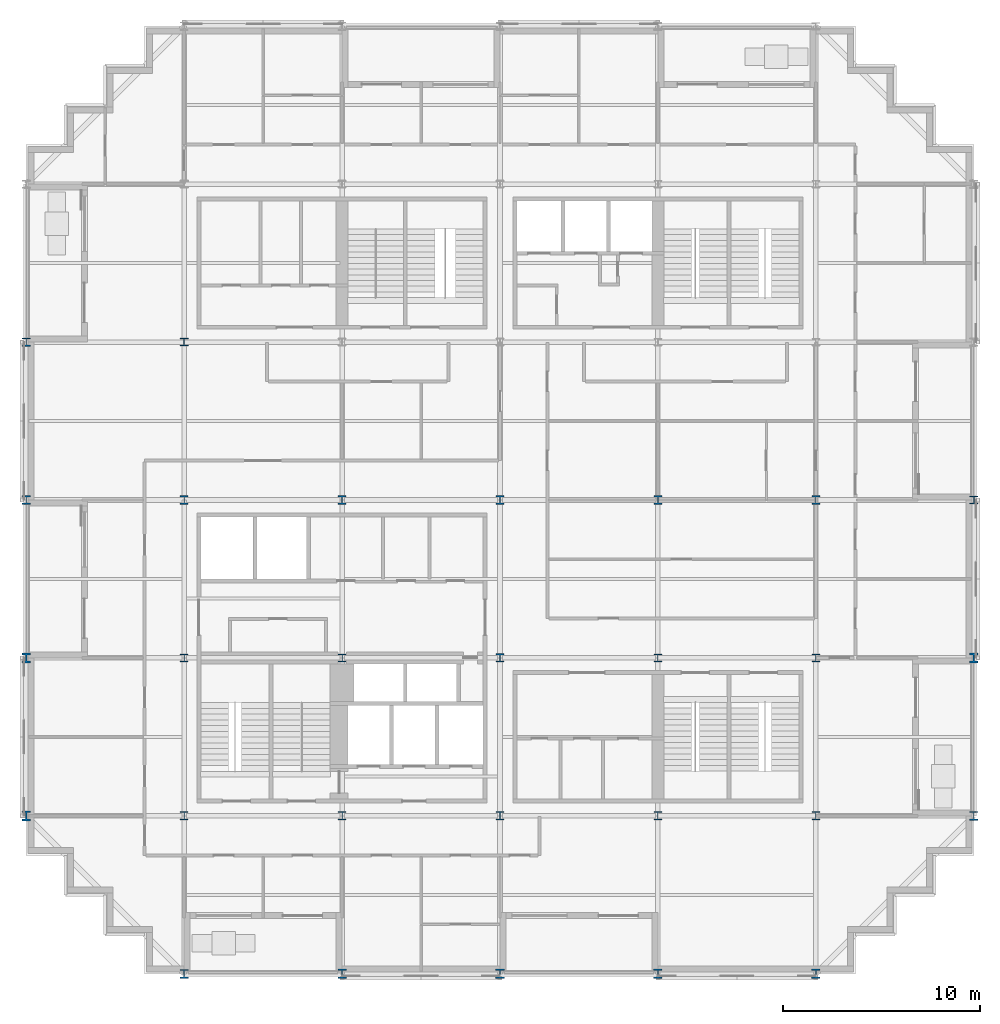
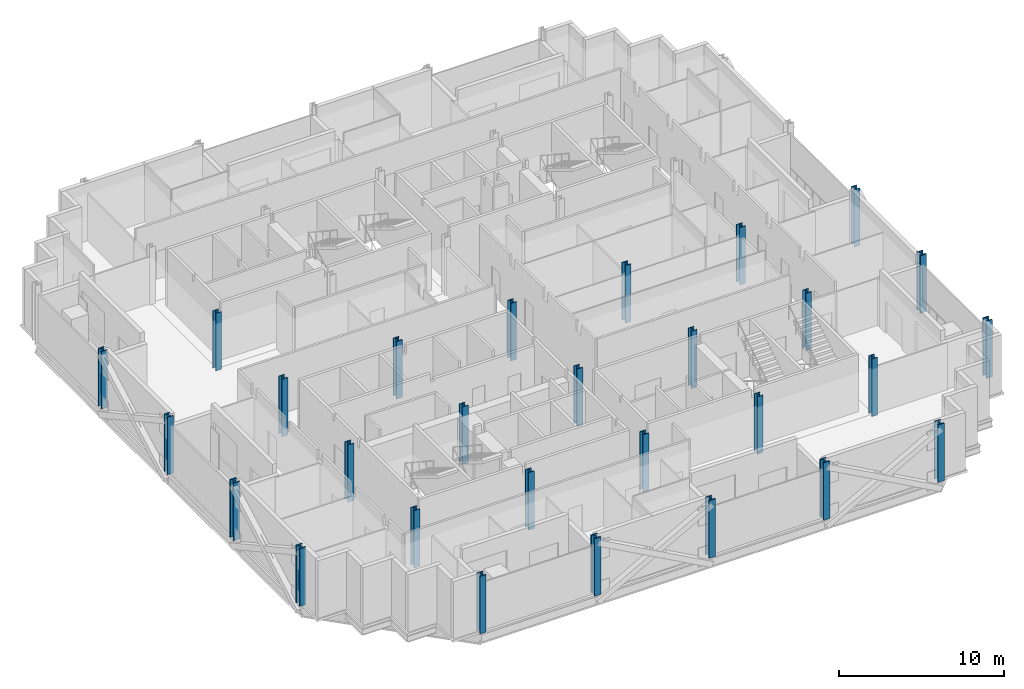
# One storey, part 1 of 15: 28 columns.
"""IFC4 building model written with IfcOpenShell, lengths in metres."""

from ifc_helpers import new_model, si_unit, direction, frame, origin, origin_2d, place, context, subcontext, project, spatial, i_section, extrude, material, material_profile, profile_set, type_object, element, save


model = new_model("IFC4")

# Units and contexts
model_context = context("Model", 3, precision=1e-05, world=origin(), true_north=direction((0.0, 1.0)))
body_context = subcontext(model_context, "Body", "Model", "MODEL_VIEW")
ifc_project = project(units=[si_unit("LENGTHUNIT", "METRE"), si_unit("AREAUNIT", "SQUARE_METRE"), si_unit("VOLUMEUNIT", "CUBIC_METRE"), si_unit("PLANEANGLEUNIT", "RADIAN"), si_unit("MASSUNIT", "GRAM", prefix="KILO")], contexts=[model_context])

# Site, building, storey
site_placement = place(None, origin())
site = spatial("IfcSite", under=ifc_project, at=site_placement, CompositionType="ELEMENT")
building_placement = place(site_placement, origin())
building = spatial("IfcBuilding", under=site, at=building_placement, Name="Immortelle Media Tower", CompositionType="ELEMENT")
storey_placement = place(building_placement, frame((0.0, 0.0, 65.60009765625)))
storey = spatial("IfcBuildingStorey", under=building, at=storey_placement, Name="L11", CompositionType="ELEMENT", Elevation=65.60009765625)

# Columns
ifc_material = material(Name="Steel ASTM A992 Gr 50", Category="steel")
ifc_material_profile_1 = material_profile(ifc_material, i_section(OverallWidth=0.39404296875, OverallDepth=0.3759765625, WebThickness=0.01708984375, FlangeThickness=0.028076171875, at=origin_2d()), Name="W14x145")
ifc_profile_set_1 = profile_set([ifc_material_profile_1], Name="Steel ASTM A992 Gr 50")
column_type_1 = type_object("IfcColumnType", Name="W14x145 column", PredefinedType="COLUMN", material=ifc_profile_set_1)
column_1_placement = place(storey_placement, frame((8.0, 32.0, 0.0), z_axis=(0.0, 0.0, 1.0), x_axis=(1.0, 0.0, 0.0)))
element("IfcColumn", 1, at=column_1_placement, inside=storey, type_object=column_type_1, Name="Column 2/E", PredefinedType="COLUMN", context=body_context, shape_type="SweptSolid", body=[
    extrude(i_section(OverallWidth=0.39404296875, OverallDepth=0.3759765625, WebThickness=0.01708984375, FlangeThickness=0.028076171875, at=origin_2d()), origin(), (0.0, 0.0, 1.0), 4.25),
])
ifc_material_profile_2 = material_profile(ifc_material, i_section(OverallWidth=0.40087890625, OverallDepth=0.39892578125, WebThickness=0.02490234375, FlangeThickness=0.0400390625, at=origin_2d()), Name="W14x211")
ifc_profile_set_2 = profile_set([ifc_material_profile_2], Name="Steel ASTM A992 Gr 50")
column_type_2 = type_object("IfcColumnType", Name="W14x211 column", PredefinedType="COLUMN", material=ifc_profile_set_2)
column_2_placement = place(storey_placement, frame((48.0, 24.0, 0.0), z_axis=(0.0, 0.0, 1.0), x_axis=(1.0, 0.0, 0.0)))
element("IfcColumn", 2, at=column_2_placement, inside=storey, type_object=column_type_2, Name="Column 7/D", PredefinedType="COLUMN", context=body_context, shape_type="SweptSolid", body=[
    extrude(i_section(OverallWidth=0.40087890625, OverallDepth=0.39892578125, WebThickness=0.02490234375, FlangeThickness=0.0400390625, at=origin_2d()), origin(), (0.0, 0.0, 1.0), 4.25),
])
ifc_material_profile_3 = material_profile(ifc_material, i_section(OverallWidth=0.406005859375, OverallDepth=0.4169921875, WebThickness=0.030029296875, FlangeThickness=0.048095703125, at=origin_2d()), Name="W14x257")
ifc_profile_set_3 = profile_set([ifc_material_profile_3], Name="Steel ASTM A992 Gr 50")
column_type_3 = type_object("IfcColumnType", Name="W14x257 column", PredefinedType="COLUMN", material=ifc_profile_set_3)
for number, where, z_axis, x_axis, name in (
    (3, (8.0, 8.0, 0.0), (0.0, 0.0, 1.0), (1.0, 0.0, 0.0), "Column 2/B"),
    (4, (8.0, 16.0, 0.0), (0.0, 0.0, 1.0), (1.0, 0.0, 0.0), "Column 2/C"),
    (5, (16.0, 8.0, 0.0), (0.0, 0.0, 1.0), (1.0, 0.0, 0.0), "Column 3/B"),
    (6, (16.0, 16.0, 0.0), (0.0, 0.0, 1.0), (1.0, 0.0, 0.0), "Column 3/C"),
    (7, (32.0, 8.0, 0.0), (0.0, 0.0, 1.0), (1.0, 0.0, 0.0), "Column 5/B"),
    (8, (32.0, 16.0, 0.0), (0.0, 0.0, 1.0), (1.0, 0.0, 0.0), "Column 5/C"),
    (9, (40.0, 8.0, 0.0), (0.0, 0.0, 1.0), (1.0, 0.0, 0.0), "Column 6/B"),
    (10, (40.0, 16.0, 0.0), (0.0, 0.0, 1.0), (1.0, 0.0, 0.0), "Column 6/C"),
):
    element("IfcColumn", number, at=place(storey_placement, frame(where, z_axis=z_axis, x_axis=x_axis)), inside=storey, type_object=column_type_3, Name=name, PredefinedType="COLUMN", context=body_context, shape_type="SweptSolid", body=[
        extrude(i_section(OverallWidth=0.406005859375, OverallDepth=0.4169921875, WebThickness=0.030029296875, FlangeThickness=0.048095703125, at=origin_2d()), origin(), (0.0, 0.0, 1.0), 4.25),
    ])
ifc_material_profile_4 = material_profile(ifc_material, i_section(OverallWidth=0.410888671875, OverallDepth=0.43408203125, WebThickness=0.035888671875, FlangeThickness=0.056884765625, at=origin_2d()), Name="W14x311")
ifc_profile_set_4 = profile_set([ifc_material_profile_4], Name="Steel ASTM A992 Gr 50")
column_type_4 = type_object("IfcColumnType", Name="W14x311 column", PredefinedType="COLUMN", material=ifc_profile_set_4)
for number, where, z_axis, x_axis, name in (
    (11, (0.0, 24.0, 0.0), (0.0, 0.0, 1.0), (1.0, 0.0, 0.0), "Column 1/D"),
    (12, (0.0, 32.0, 0.0), (0.0, 0.0, 1.0), (1.0, 0.0, 0.0), "Column 1/E"),
    (13, (8.0, 24.0, 0.0), (0.0, 0.0, 1.0), (1.0, 0.0, 0.0), "Column 2/D"),
    (14, (16.0, 24.0, 0.0), (0.0, 0.0, 1.0), (1.0, 0.0, 0.0), "Column 3/D"),
    (15, (24.0, 8.0, 0.0), (0.0, 0.0, 1.0), (1.0, 0.0, 0.0), "Column 4/B"),
    (16, (24.0, 16.0, 0.0), (0.0, 0.0, 1.0), (1.0, 0.0, 0.0), "Column 4/C"),
    (17, (24.0, 24.0, 0.0), (0.0, 0.0, 1.0), (1.0, 0.0, 0.0), "Column 4/D"),
    (18, (32.0, 24.0, 0.0), (0.0, 0.0, 1.0), (1.0, 0.0, 0.0), "Column 5/D"),
    (19, (40.0, 24.0, 0.0), (0.0, 0.0, 1.0), (1.0, 0.0, 0.0), "Column 6/D"),
):
    element("IfcColumn", number, at=place(storey_placement, frame(where, z_axis=z_axis, x_axis=x_axis)), inside=storey, type_object=column_type_4, Name=name, PredefinedType="COLUMN", context=body_context, shape_type="SweptSolid", body=[
        extrude(i_section(OverallWidth=0.410888671875, OverallDepth=0.43408203125, WebThickness=0.035888671875, FlangeThickness=0.056884765625, at=origin_2d()), origin(), (0.0, 0.0, 1.0), 4.25),
    ])
ifc_material_profile_5 = material_profile(ifc_material, i_section(OverallWidth=0.4189453125, OverallDepth=0.455078125, WebThickness=0.0419921875, FlangeThickness=0.068115234375, at=origin_2d()), Name="W14x370")
ifc_profile_set_5 = profile_set([ifc_material_profile_5], Name="Steel ASTM A992 Gr 50")
column_type_5 = type_object("IfcColumnType", Name="W14x370 column", PredefinedType="COLUMN", material=ifc_profile_set_5)
for number, where, z_axis, x_axis, name in (
    (20, (8.0, 0.0, 0.0), (0.0, 0.0, 1.0), (1.0, 0.0, 0.0), "Column 2/A"),
    (21, (48.0, 8.0, 0.0), (0.0, 0.0, 1.0), (1.0, 0.0, 0.0), "Column 7/B"),
):
    element("IfcColumn", number, at=place(storey_placement, frame(where, z_axis=z_axis, x_axis=x_axis)), inside=storey, type_object=column_type_5, Name=name, PredefinedType="COLUMN", context=body_context, shape_type="SweptSolid", body=[
        extrude(i_section(OverallWidth=0.4189453125, OverallDepth=0.455078125, WebThickness=0.0419921875, FlangeThickness=0.068115234375, at=origin_2d()), origin(), (0.0, 0.0, 1.0), 4.25),
    ])
ifc_material_profile_6 = material_profile(ifc_material, i_section(OverallWidth=0.431884765625, OverallDepth=0.498046875, WebThickness=0.055908203125, FlangeThickness=0.089111328125, at=origin_2d()), Name="W14x500")
ifc_profile_set_6 = profile_set([ifc_material_profile_6], Name="Steel ASTM A992 Gr 50")
column_type_6 = type_object("IfcColumnType", Name="W14x500 column", PredefinedType="COLUMN", material=ifc_profile_set_6)
for number, where, z_axis, x_axis, name in (
    (22, (0.0, 8.0, 0.0), (0.0, 0.0, 1.0), (1.0, 0.0, 0.0), "Column 1/B"),
    (23, (0.0, 16.0, 0.0), (0.0, 0.0, 1.0), (1.0, 0.0, 0.0), "Column 1/C"),
    (24, (16.0, 0.0, 0.0), (0.0, 0.0, 1.0), (1.0, 0.0, 0.0), "Column 3/A"),
    (25, (24.0, 0.0, 0.0), (0.0, 0.0, 1.0), (1.0, 0.0, 0.0), "Column 4/A"),
    (26, (32.0, 0.0, 0.0), (0.0, 0.0, 1.0), (1.0, 0.0, 0.0), "Column 5/A"),
    (27, (40.0, 0.0, 0.0), (0.0, 0.0, 1.0), (1.0, 0.0, 0.0), "Column 6/A"),
    (28, (48.0, 16.0, 0.0), (0.0, 0.0, 1.0), (1.0, 0.0, 0.0), "Column 7/C"),
):
    element("IfcColumn", number, at=place(storey_placement, frame(where, z_axis=z_axis, x_axis=x_axis)), inside=storey, type_object=column_type_6, Name=name, PredefinedType="COLUMN", context=body_context, shape_type="SweptSolid", body=[
        extrude(i_section(OverallWidth=0.431884765625, OverallDepth=0.498046875, WebThickness=0.055908203125, FlangeThickness=0.089111328125, at=origin_2d()), origin(), (0.0, 0.0, 1.0), 4.25),
    ])

save(model, "model.ifc")
